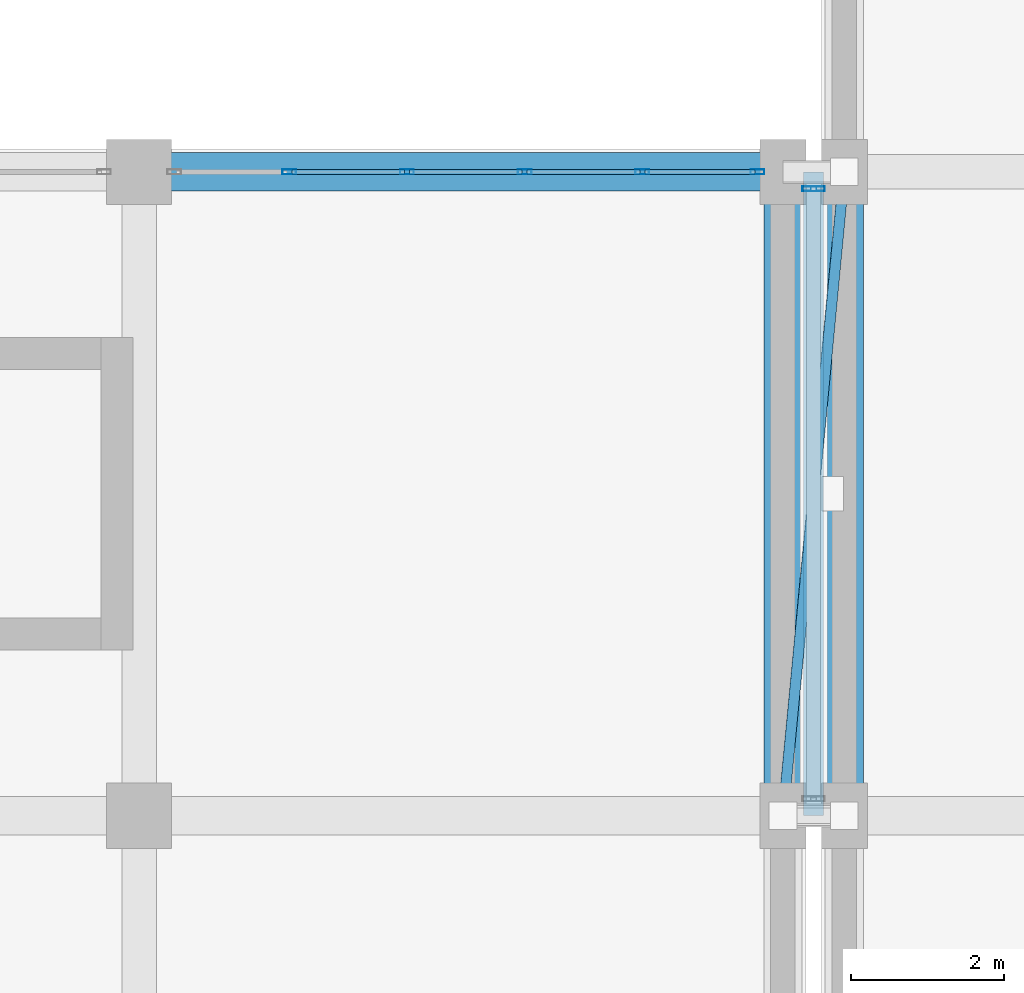
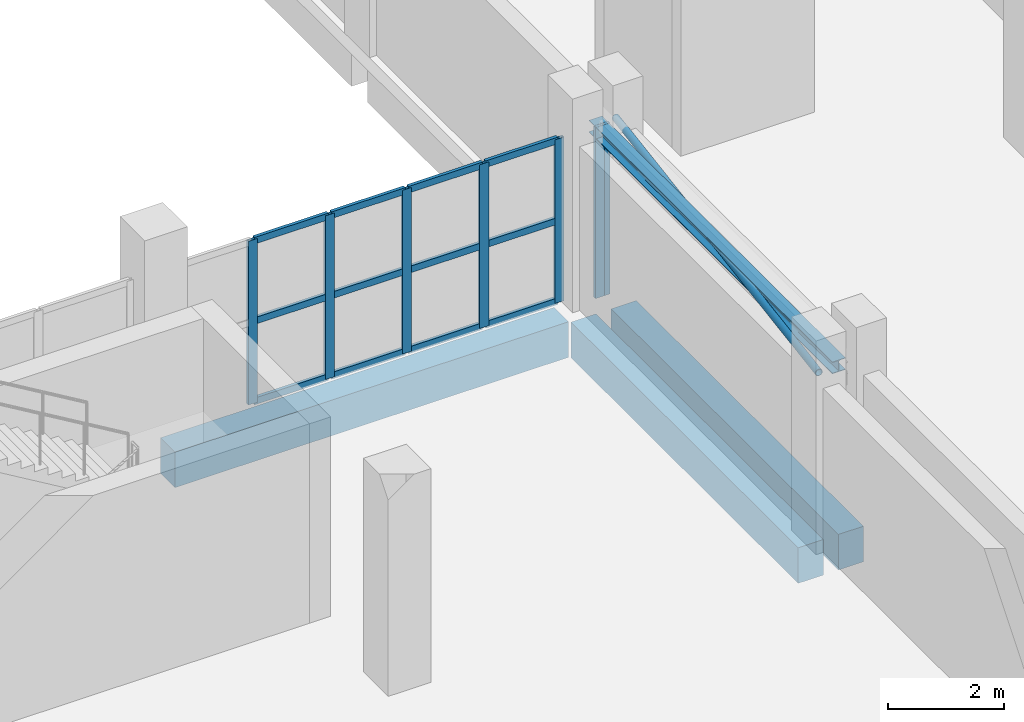
# One storey, part 72 of 137: 20 members, 4 beams, 2 elements without a shape of their own.
"""IFC4 building model written with IfcOpenShell, lengths in metres."""

from ifc_helpers import new_model, si_unit, direction, frame, origin, origin_2d, place, context, subcontext, project, spatial, rectangle, hollow_rectangle, hollow_circle, i_section, extrude, material, layer, layer_set, material_profile, profile_set, type_object, element, aggregate, save


model = new_model("IFC4")

# Units and contexts
model_context = context("Model", 3, precision=1e-05, world=origin(), true_north=direction((0.0, 1.0)))
body_context = subcontext(model_context, "Body", "Model", "MODEL_VIEW")
ifc_project = project(units=[si_unit("LENGTHUNIT", "METRE"), si_unit("AREAUNIT", "SQUARE_METRE"), si_unit("VOLUMEUNIT", "CUBIC_METRE"), si_unit("PLANEANGLEUNIT", "RADIAN"), si_unit("MASSUNIT", "GRAM", prefix="KILO")], contexts=[model_context])

# Site, building, storey
site_placement = place(None, origin())
site = spatial("IfcSite", under=ifc_project, at=site_placement, CompositionType="ELEMENT")
building_placement = place(site_placement, origin())
building = spatial("IfcBuilding", under=site, at=building_placement, Name="Xazarin Passage Department Store", CompositionType="ELEMENT")
storey_placement = place(building_placement, frame((0.0, 0.0, 5.39990234375)))
storey = spatial("IfcBuildingStorey", under=building, at=storey_placement, Name="L01", CompositionType="ELEMENT", Elevation=5.39990234375)

# Curtain wall, members
ifc_material_1 = material(Name="Bronze anodised aluminium", Category="aluminium")
ifc_layer_1 = layer(ifc_material_1, 0.169921875)
ifc_layer_set_1 = layer_set([ifc_layer_1], Name="Bronze anodised aluminium")
curtain_wall_type_1 = type_object("IfcCurtainWallType", Name="ARC-CW-ARC2", PredefinedType="NOTDEFINED", material=ifc_layer_set_1)
curtain_wall_1_placement = place(storey_placement, origin())
curtain_wall_1 = element("IfcCurtainWall", 1, at=curtain_wall_1_placement, inside=storey, type_object=curtain_wall_type_1, Name="L01 V2N Curtain Wall 113", PredefinedType="NOTDEFINED")
ifc_material_profile_1 = material_profile(ifc_material_1, hollow_rectangle(XDim=0.06494140625, YDim=0.179931640625, WallThickness=0.00390625, at=origin_2d()), Name="ALU 65x180")
ifc_profile_set_1 = profile_set([ifc_material_profile_1], Name="Bronze anodised aluminium")
member_type_1 = type_object("IfcMemberType", Name="ARC-CWM-65x180", PredefinedType="MULLION", material=ifc_profile_set_1)
member_1_placement = place(storey_placement, frame((95.159912109375, 93.199951171875, 0.0), z_axis=(0.0, 0.0, 1.0), x_axis=(0.0, 1.0, 0.0)))
member_1 = element("IfcMember", 2, at=member_1_placement, type_object=member_type_1, Name="CW4 mullion 2", PredefinedType="MULLION", context=body_context, shape_type="SweptSolid", body=[
    extrude(hollow_rectangle(XDim=0.06494140625, YDim=0.179931640625, WallThickness=0.00390625, at=origin_2d()), origin(), (0.0, 0.0, 1.0), 3.4501953125),
])
member_2_placement = place(storey_placement, frame((96.695068359375, 93.199951171875, 0.0), z_axis=(0.0, 0.0, 1.0), x_axis=(0.0, 1.0, 0.0)))
member_2 = element("IfcMember", 3, at=member_2_placement, type_object=member_type_1, Name="CW4 mullion 3", PredefinedType="MULLION", context=body_context, shape_type="SweptSolid", body=[
    extrude(hollow_rectangle(XDim=0.06494140625, YDim=0.179931640625, WallThickness=0.00390625, at=origin_2d()), origin(), (0.0, 0.0, 1.0), 3.4501953125),
])
member_3_placement = place(storey_placement, frame((98.22998046875, 93.199951171875, 0.0), z_axis=(0.0, 0.0, 1.0), x_axis=(0.0, 1.0, 0.0)))
member_3 = element("IfcMember", 4, at=member_3_placement, type_object=member_type_1, Name="CW4 mullion 4", PredefinedType="MULLION", context=body_context, shape_type="SweptSolid", body=[
    extrude(hollow_rectangle(XDim=0.06494140625, YDim=0.179931640625, WallThickness=0.00390625, at=origin_2d()), origin(), (0.0, 0.0, 1.0), 3.4501953125),
])
member_4_placement = place(storey_placement, frame((99.764892578125, 93.199951171875, 0.0), z_axis=(0.0, 0.0, 1.0), x_axis=(0.0, 1.0, 0.0)))
member_4 = element("IfcMember", 5, at=member_4_placement, type_object=member_type_1, Name="CW4 mullion 5", PredefinedType="MULLION", context=body_context, shape_type="SweptSolid", body=[
    extrude(hollow_rectangle(XDim=0.06494140625, YDim=0.179931640625, WallThickness=0.00390625, at=origin_2d()), origin(), (0.0, 0.0, 1.0), 3.4501953125),
])
member_5_placement = place(storey_placement, frame((101.267578125, 93.199951171875, 0.0), z_axis=(0.0, 0.0, 1.0), x_axis=(0.0, 1.0, 0.0)))
member_5 = element("IfcMember", 6, at=member_5_placement, type_object=member_type_1, Name="CW4 mullion 6", PredefinedType="MULLION", context=body_context, shape_type="SweptSolid", body=[
    extrude(hollow_rectangle(XDim=0.06494140625, YDim=0.179931640625, WallThickness=0.00390625, at=origin_2d()), origin(), (0.0, 0.0, 1.0), 3.4501953125),
])

ifc_layer_2 = layer(ifc_material_1, 0.14990234375)
ifc_layer_set_2 = layer_set([ifc_layer_2], Name="Bronze anodised aluminium")
curtain_wall_type_2 = type_object("IfcCurtainWallType", Name="ARC-CW-BRG1", PredefinedType="NOTDEFINED", material=ifc_layer_set_2)
curtain_wall_2_placement = place(storey_placement, origin())
curtain_wall_2 = element("IfcCurtainWall", 7, at=curtain_wall_2_placement, inside=storey, type_object=curtain_wall_type_2, Name="L01 BR-V2N-V4 Bridge Curtain Wall 2", PredefinedType="NOTDEFINED")
member_6_placement = place(storey_placement, frame((101.9423828125, 92.97998046875, 0.0), z_axis=(0.0, 0.0, 1.0), x_axis=(0.0, 1.0, 0.0)))
member_6 = element("IfcMember", 8, at=member_6_placement, type_object=member_type_1, Name="CW7 mullion 1", PredefinedType="MULLION", context=body_context, shape_type="SweptSolid", body=[
    extrude(hollow_rectangle(XDim=0.06494140625, YDim=0.179931640625, WallThickness=0.00390625, at=origin_2d()), origin(), (0.0, 0.0, 1.0), 3.60009765625),
])
member_7_placement = place(storey_placement, frame((102.0576171875, 92.97998046875, 0.0), z_axis=(0.0, 0.0, 1.0), x_axis=(0.0, 1.0, 0.0)))
member_7 = element("IfcMember", 9, at=member_7_placement, type_object=member_type_1, Name="CW7 mullion 2", PredefinedType="MULLION", context=body_context, shape_type="SweptSolid", body=[
    extrude(hollow_rectangle(XDim=0.06494140625, YDim=0.179931640625, WallThickness=0.00390625, at=origin_2d()), origin(), (0.0, 0.0, 1.0), 3.60009765625),
])
aggregate(curtain_wall_2, [member_6, member_7])

# Member
ifc_material_profile_2 = material_profile(ifc_material_1, hollow_rectangle(XDim=0.06494140625, YDim=0.139892578125, WallThickness=0.00390625, at=origin_2d()), Name="ALU 65x140")
ifc_profile_set_2 = profile_set([ifc_material_profile_2], Name="Bronze anodised aluminium")
member_type_2 = type_object("IfcMemberType", Name="ARC-CWT-65x140", PredefinedType="USERDEFINED", material=ifc_profile_set_2)
member_8_placement = place(storey_placement, frame((95.1923828125, 93.199951171875, 0.03271484375), z_axis=(1.0, 0.0, 0.0), x_axis=(0.0, 1.0, 0.0)))
member_8 = element("IfcMember", 10, at=member_8_placement, type_object=member_type_2, Name="CW4 transom 2.1", ObjectType="TRANSOM", PredefinedType="USERDEFINED", context=body_context, shape_type="SweptSolid", body=[
    extrude(hollow_rectangle(XDim=0.06494140625, YDim=0.139892578125, WallThickness=0.00390625, at=origin_2d()), origin(), (0.0, 0.0, 1.0), 1.47021484375),
])

member_9_placement = place(storey_placement, frame((95.1923828125, 93.199951171875, 1.72509765625), z_axis=(1.0, 0.0, 0.0), x_axis=(0.0, 1.0, 0.0)))
member_9 = element("IfcMember", 11, at=member_9_placement, type_object=member_type_2, Name="CW4 transom 2.2", ObjectType="TRANSOM", PredefinedType="USERDEFINED", context=body_context, shape_type="SweptSolid", body=[
    extrude(hollow_rectangle(XDim=0.06494140625, YDim=0.139892578125, WallThickness=0.00390625, at=origin_2d()), origin(), (0.0, 0.0, 1.0), 1.47021484375),
])

member_10_placement = place(storey_placement, frame((95.1923828125, 93.199951171875, 3.41748046875), z_axis=(1.0, 0.0, 0.0), x_axis=(0.0, 1.0, 0.0)))
member_10 = element("IfcMember", 12, at=member_10_placement, type_object=member_type_2, Name="CW4 transom 2.3", ObjectType="TRANSOM", PredefinedType="USERDEFINED", context=body_context, shape_type="SweptSolid", body=[
    extrude(hollow_rectangle(XDim=0.06494140625, YDim=0.139892578125, WallThickness=0.00390625, at=origin_2d()), origin(), (0.0, 0.0, 1.0), 1.47021484375),
])

member_11_placement = place(storey_placement, frame((96.7275390625, 93.199951171875, 0.03271484375), z_axis=(1.0, 0.0, 0.0), x_axis=(0.0, 1.0, 0.0)))
member_11 = element("IfcMember", 13, at=member_11_placement, type_object=member_type_2, Name="CW4 transom 3.1", ObjectType="TRANSOM", PredefinedType="USERDEFINED", context=body_context, shape_type="SweptSolid", body=[
    extrude(hollow_rectangle(XDim=0.06494140625, YDim=0.139892578125, WallThickness=0.00390625, at=origin_2d()), origin(), (0.0, 0.0, 1.0), 1.469970703125),
])

member_12_placement = place(storey_placement, frame((96.7275390625, 93.199951171875, 1.72509765625), z_axis=(1.0, 0.0, 0.0), x_axis=(0.0, 1.0, 0.0)))
member_12 = element("IfcMember", 14, at=member_12_placement, type_object=member_type_2, Name="CW4 transom 3.2", ObjectType="TRANSOM", PredefinedType="USERDEFINED", context=body_context, shape_type="SweptSolid", body=[
    extrude(hollow_rectangle(XDim=0.06494140625, YDim=0.139892578125, WallThickness=0.00390625, at=origin_2d()), origin(), (0.0, 0.0, 1.0), 1.469970703125),
])

member_13_placement = place(storey_placement, frame((96.7275390625, 93.199951171875, 3.41748046875), z_axis=(1.0, 0.0, 0.0), x_axis=(0.0, 1.0, 0.0)))
member_13 = element("IfcMember", 15, at=member_13_placement, type_object=member_type_2, Name="CW4 transom 3.3", ObjectType="TRANSOM", PredefinedType="USERDEFINED", context=body_context, shape_type="SweptSolid", body=[
    extrude(hollow_rectangle(XDim=0.06494140625, YDim=0.139892578125, WallThickness=0.00390625, at=origin_2d()), origin(), (0.0, 0.0, 1.0), 1.469970703125),
])

member_14_placement = place(storey_placement, frame((98.262451171875, 93.199951171875, 0.03271484375), z_axis=(1.0, 0.0, 0.0), x_axis=(0.0, 1.0, 0.0)))
member_14 = element("IfcMember", 16, at=member_14_placement, type_object=member_type_2, Name="CW4 transom 4.1", ObjectType="TRANSOM", PredefinedType="USERDEFINED", context=body_context, shape_type="SweptSolid", body=[
    extrude(hollow_rectangle(XDim=0.06494140625, YDim=0.139892578125, WallThickness=0.00390625, at=origin_2d()), origin(), (0.0, 0.0, 1.0), 1.469970703125),
])

member_15_placement = place(storey_placement, frame((98.262451171875, 93.199951171875, 1.72509765625), z_axis=(1.0, 0.0, 0.0), x_axis=(0.0, 1.0, 0.0)))
member_15 = element("IfcMember", 17, at=member_15_placement, type_object=member_type_2, Name="CW4 transom 4.2", ObjectType="TRANSOM", PredefinedType="USERDEFINED", context=body_context, shape_type="SweptSolid", body=[
    extrude(hollow_rectangle(XDim=0.06494140625, YDim=0.139892578125, WallThickness=0.00390625, at=origin_2d()), origin(), (0.0, 0.0, 1.0), 1.469970703125),
])

member_16_placement = place(storey_placement, frame((98.262451171875, 93.199951171875, 3.41748046875), z_axis=(1.0, 0.0, 0.0), x_axis=(0.0, 1.0, 0.0)))
member_16 = element("IfcMember", 18, at=member_16_placement, type_object=member_type_2, Name="CW4 transom 4.3", ObjectType="TRANSOM", PredefinedType="USERDEFINED", context=body_context, shape_type="SweptSolid", body=[
    extrude(hollow_rectangle(XDim=0.06494140625, YDim=0.139892578125, WallThickness=0.00390625, at=origin_2d()), origin(), (0.0, 0.0, 1.0), 1.469970703125),
])

member_17_placement = place(storey_placement, frame((99.797607421875, 93.199951171875, 0.03271484375), z_axis=(1.0, 0.0, 0.0), x_axis=(0.0, 1.0, 0.0)))
member_17 = element("IfcMember", 19, at=member_17_placement, type_object=member_type_2, Name="CW4 transom 5.1", ObjectType="TRANSOM", PredefinedType="USERDEFINED", context=body_context, shape_type="SweptSolid", body=[
    extrude(hollow_rectangle(XDim=0.06494140625, YDim=0.139892578125, WallThickness=0.00390625, at=origin_2d()), origin(), (0.0, 0.0, 1.0), 1.4375),
])

member_18_placement = place(storey_placement, frame((99.797607421875, 93.199951171875, 1.72509765625), z_axis=(1.0, 0.0, 0.0), x_axis=(0.0, 1.0, 0.0)))
member_18 = element("IfcMember", 20, at=member_18_placement, type_object=member_type_2, Name="CW4 transom 5.2", ObjectType="TRANSOM", PredefinedType="USERDEFINED", context=body_context, shape_type="SweptSolid", body=[
    extrude(hollow_rectangle(XDim=0.06494140625, YDim=0.139892578125, WallThickness=0.00390625, at=origin_2d()), origin(), (0.0, 0.0, 1.0), 1.4375),
])

member_19_placement = place(storey_placement, frame((99.797607421875, 93.199951171875, 3.41748046875), z_axis=(1.0, 0.0, 0.0), x_axis=(0.0, 1.0, 0.0)))
member_19 = element("IfcMember", 21, at=member_19_placement, type_object=member_type_2, Name="CW4 transom 5.3", ObjectType="TRANSOM", PredefinedType="USERDEFINED", context=body_context, shape_type="SweptSolid", body=[
    extrude(hollow_rectangle(XDim=0.06494140625, YDim=0.139892578125, WallThickness=0.00390625, at=origin_2d()), origin(), (0.0, 0.0, 1.0), 1.4375),
])

aggregate(curtain_wall_1, [member_1, member_2, member_3, member_4, member_5, member_8, member_9, member_10, member_11, member_12, member_13, member_14, member_15, member_16, member_17, member_18, member_19])

# Beams
ifc_material_2 = material(Name="Steel S355", Category="steel")
ifc_material_profile_3 = material_profile(ifc_material_2, i_section(OverallWidth=0.260009765625, OverallDepth=0.25, WebThickness=0.007568359375, FlangeThickness=0.012451171875, FilletRadius=0.02392578125, at=origin_2d()), Name="HEA 260")
ifc_profile_set_3 = profile_set([ifc_material_profile_3], Name="Steel S355")
beam_type_1 = type_object("IfcBeamType", Name="STR-BM-CAN260", PredefinedType="BEAM", material=ifc_profile_set_3)
beam_1_placement = place(storey_placement, frame((102.0, 84.800048828125, 3.47509765625), z_axis=(0.0, 1.0, 0.0), x_axis=(-1.0, 0.0, 0.0)))
element("IfcBeam", 22, at=beam_1_placement, inside=storey, type_object=beam_type_1, Name="L01 BR-V2N-V4 Bridge Roof Mid Beam", PredefinedType="BEAM", context=body_context, shape_type="SweptSolid", body=[
    extrude(i_section(OverallWidth=0.260009765625, OverallDepth=0.25, WebThickness=0.007568359375, FlangeThickness=0.012451171875, FilletRadius=0.02392578125, at=origin_2d()), origin(), (0.0, 0.0, 1.0), 8.39990234375),
])
ifc_material_3 = material(Name="Concrete C35/45", Category="concrete")
ifc_material_profile_4 = material_profile(ifc_material_3, rectangle(XDim=0.5, YDim=0.75, at=origin_2d()), Name="RC 500x750")
ifc_profile_set_4 = profile_set([ifc_material_profile_4], Name="Concrete C35/45")
beam_type_2 = type_object("IfcBeamType", Name="STR-BM-SP500x750", PredefinedType="SPANDREL", material=ifc_profile_set_4)
beam_2_placement = place(storey_placement, frame((93.47998046875, 93.199951171875, -0.6748046875), z_axis=(1.0, 0.0, 0.0), x_axis=(0.0, 1.0, 0.0)))
element("IfcBeam", 23, at=beam_2_placement, inside=storey, type_object=beam_type_2, Name="L01 Grid Beam N/13-14", PredefinedType="SPANDREL", context=body_context, shape_type="SweptSolid", body=[
    extrude(rectangle(XDim=0.5, YDim=0.75, at=origin_2d()), origin(), (0.0, 0.0, 1.0), 7.840087890625),
])
for number, where, z_axis, x_axis, name in (
    (24, (101.60009765625, 85.080078125, -0.6748046875), (0.0, 1.0, 0.0), (-1.0, 0.0, 0.0), "L01 Grid Beam 14/M-N"),
    (25, (102.39990234375, 85.080078125, -0.6748046875), (0.0, 1.0, 0.0), (-1.0, 0.0, 0.0), "L01 Grid Beam 15/M-N"),
):
    element("IfcBeam", number, at=place(storey_placement, frame(where, z_axis=z_axis, x_axis=x_axis)), inside=storey, type_object=beam_type_2, Name=name, PredefinedType="SPANDREL", context=body_context, shape_type="SweptSolid", body=[
        extrude(rectangle(XDim=0.5, YDim=0.75, at=origin_2d()), origin(), (0.0, 0.0, 1.0), 7.83984375),
    ])

# Member
ifc_material_profile_5 = material_profile(ifc_material_2, hollow_circle(Radius=0.06982421875, WallThickness=0.008056640625, at=origin_2d()), Name="CHS 139.7x8")
ifc_profile_set_5 = profile_set([ifc_material_profile_5], Name="Steel S355")
member_type_3 = type_object("IfcMemberType", Name="STR-MEM-BR140", PredefinedType="BRACE", material=ifc_profile_set_5)
member_20_placement = place(storey_placement, frame((101.60009765625, 84.800048828125, 3.47509765625), z_axis=(0.094787245934, 0.99549755299, 0.0), x_axis=(-0.99549755299, 0.094787245934, 0.0)))
element("IfcMember", 26, at=member_20_placement, inside=storey, type_object=member_type_3, Name="L01 BR-V2N-V4 Bridge Roof Wind Diagonal", PredefinedType="BRACE", context=body_context, shape_type="SweptSolid", body=[
    extrude(hollow_circle(Radius=0.06982421875, WallThickness=0.008056640625, at=origin_2d()), origin(), (0.0, 0.0, 1.0), 8.43798828125),
])

save(model, "model.ifc")
